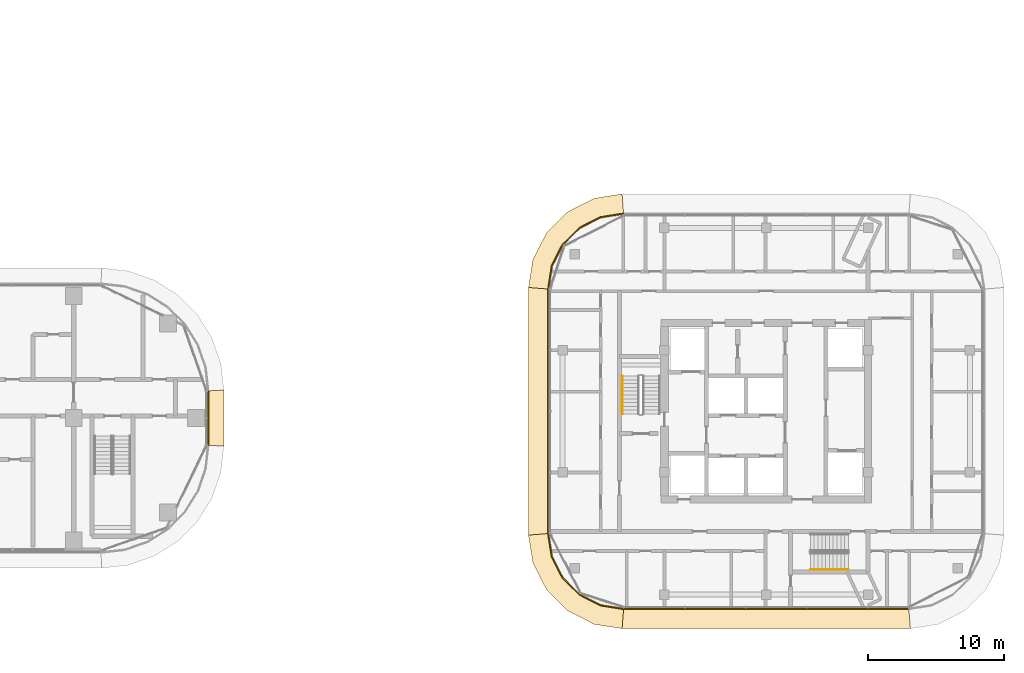
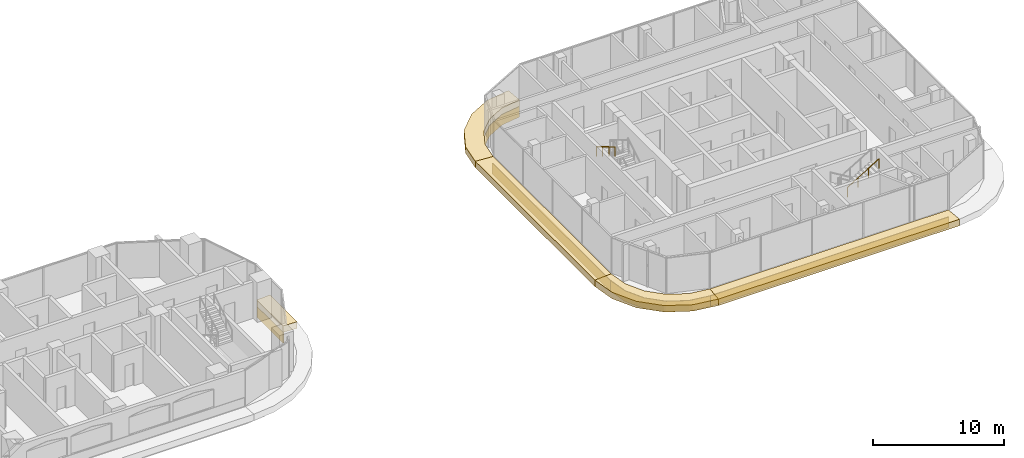
# One storey, part 38 of 40: 10 coverings, 2 railings.
"""IFC4 building model written with IfcOpenShell, lengths in metres."""

from ifc_helpers import new_model, si_unit, direction, frame, origin, origin_2d, place, context, subcontext, project, spatial, polyline, circle, outline, extrude, material, layer, layer_set, type_object, element, save


model = new_model("IFC4")

# Units and contexts
model_context = context("Model", 3, precision=1e-05, world=origin(), true_north=direction((0.0, 1.0)))
body_context = subcontext(model_context, "Body", "Model", "MODEL_VIEW")
ifc_project = project(units=[si_unit("LENGTHUNIT", "METRE"), si_unit("AREAUNIT", "SQUARE_METRE"), si_unit("VOLUMEUNIT", "CUBIC_METRE"), si_unit("PLANEANGLEUNIT", "RADIAN"), si_unit("MASSUNIT", "GRAM", prefix="KILO")], contexts=[model_context])

# Site, building, storey
site_placement = place(None, origin())
site = spatial("IfcSite", under=ifc_project, at=site_placement, CompositionType="ELEMENT")
building_placement = place(site_placement, origin())
building = spatial("IfcBuilding", under=site, at=building_placement, Name="Ogive Portal Towers", CompositionType="ELEMENT")
storey_placement = place(building_placement, frame((0.0, 0.0, 87.10009765625)))
storey = spatial("IfcBuildingStorey", under=building, at=storey_placement, Name="L20", CompositionType="ELEMENT", Elevation=87.10009765625)

# Railings
ifc_material_1 = material(Name="Stainless steel handrail", Category="steel")
railing_type = type_object("IfcRailingType", Name="INT-HANDRAIL", PredefinedType="HANDRAIL", material=ifc_material_1)
railing_1_placement = place(storey_placement, frame((125.89990234375, 33.60009765625, 2.01806640625)))
element("IfcRailing", 1, at=railing_1_placement, inside=storey, type_object=railing_type, Name="L20 ST-B1 stair handrail 2", PredefinedType="HANDRAIL", context=body_context, shape_type="SweptSolid", body=[
    extrude(circle(Radius=0.02392578125, at=origin_2d()), frame((0.0, 0.0, 0.8759765625), z_axis=(0.0, -0.857242210791, 0.514913383045), x_axis=(1.0, 0.0, 0.0)), (0.0, 0.0, 1.0), 3.266357421875),
    extrude(circle(Radius=0.02099609375, at=origin_2d()), origin(), (0.0, 0.0, 1.0), 0.851806640625),
    extrude(circle(Radius=0.02099609375, at=origin_2d()), frame((0.0, -0.933349609375, 0.560546875)), (0.0, 0.0, 1.0), 0.851806640625),
    extrude(circle(Radius=0.02099609375, at=origin_2d()), frame((0.0, -1.86669921875, 1.121337890625)), (0.0, 0.0, 1.0), 0.851806640625),
    extrude(circle(Radius=0.02099609375, at=origin_2d()), frame((0.0, -2.800048828125, 1.681884765625)), (0.0, 0.0, 1.0), 0.851806640625),
])
railing_2_placement = place(storey_placement, frame((139.75, 19.35009765625, 2.01806640625)))
element("IfcRailing", 2, at=railing_2_placement, inside=storey, type_object=railing_type, Name="L20 ST-B2 stair handrail 2", PredefinedType="HANDRAIL", context=body_context, shape_type="SweptSolid", body=[
    extrude(circle(Radius=0.02392578125, at=origin_2d()), frame((0.0, 0.0, 0.8759765625), z_axis=(0.857242210791, 0.0, 0.514913383045), x_axis=(0.0, 1.0, 0.0)), (0.0, 0.0, 1.0), 3.266357421875),
    extrude(circle(Radius=0.02099609375, at=origin_2d()), origin(), (0.0, 0.0, 1.0), 0.851806640625),
    extrude(circle(Radius=0.02099609375, at=origin_2d()), frame((0.933349609375, 0.0, 0.560546875)), (0.0, 0.0, 1.0), 0.851806640625),
    extrude(circle(Radius=0.02099609375, at=origin_2d()), frame((1.86669921875, 0.0, 1.121337890625)), (0.0, 0.0, 1.0), 0.851806640625),
    extrude(circle(Radius=0.02099609375, at=origin_2d()), frame((2.800048828125, 0.0, 1.681884765625)), (0.0, 0.0, 1.0), 0.851806640625),
])

# Coverings
ifc_material_2 = material(Name="Limestone cladding on lightweight block wall", Category="masonry")
ifc_layer_1 = layer(ifc_material_2, 0.080078125)
ifc_layer_set_1 = layer_set([ifc_layer_1], Name="STONE SPANDREL 80")
covering_type_1 = type_object("IfcCoveringType", Name="STONE SPANDREL 80", PredefinedType="CLADDING", material=ifc_layer_set_1)
covering_1_placement = place(storey_placement, frame((0.0, 0.0, -1.60009765625)))
element("IfcCovering", 3, at=covering_1_placement, inside=storey, type_object=covering_type_1, Name="Stone spandrel A1-F07", PredefinedType="CLADDING", context=body_context, shape_type="SweptSolid", body=[
    extrude(outline(polyline([(95.35498046875, 28.5), (95.35498046875, 32.5), (95.43505859375, 32.50439453125), (95.43505859375, 28.49560546875), (95.35498046875, 28.5)])), origin(), (0.0, 0.0, 1.0), 1.0),
])
covering_2_placement = place(storey_placement, frame((0.0, 0.0, -1.60009765625)))
element("IfcCovering", 4, at=covering_2_placement, inside=storey, type_object=covering_type_1, Name="Stone spandrel B1-F01", PredefinedType="CLADDING", context=body_context, shape_type="SweptSolid", body=[
    extrude(outline(polyline([(120.489990234375, 22.0), (120.759765625, 20.29736328125), (121.542236328125, 18.76123046875), (122.76123046875, 17.542236328125), (124.29736328125, 16.759765625), (126.0, 16.489990234375), (125.99365234375, 16.409912109375), (124.272216796875, 16.6826171875), (122.713623046875, 17.476806640625), (121.476806640625, 18.713623046875), (120.6826171875, 20.272216796875), (120.409912109375, 21.99365234375), (120.489990234375, 22.0)])), origin(), (0.0, 0.0, 1.0), 1.0),
])
covering_3_placement = place(storey_placement, frame((0.0, 0.0, -1.60009765625)))
element("IfcCovering", 5, at=covering_3_placement, inside=storey, type_object=covering_type_1, Name="Stone spandrel B1-F02", PredefinedType="CLADDING", context=body_context, shape_type="SweptSolid", body=[
    extrude(outline(polyline([(126.0, 16.489990234375), (147.0, 16.489990234375), (147.00634765625, 16.409912109375), (125.99365234375, 16.409912109375), (126.0, 16.489990234375)])), origin(), (0.0, 0.0, 1.0), 1.0),
])
covering_4_placement = place(storey_placement, frame((0.0, 0.0, -1.60009765625)))
element("IfcCovering", 6, at=covering_4_placement, inside=storey, type_object=covering_type_1, Name="Stone spandrel B1-F07", PredefinedType="CLADDING", context=body_context, shape_type="SweptSolid", body=[
    extrude(outline(polyline([(126.0, 45.510009765625), (124.29736328125, 45.240234375), (122.76123046875, 44.457763671875), (121.542236328125, 43.23876953125), (120.759765625, 41.70263671875), (120.489990234375, 40.0), (120.409912109375, 40.00634765625), (120.6826171875, 41.727783203125), (121.476806640625, 43.286376953125), (122.713623046875, 44.523193359375), (124.272216796875, 45.3173828125), (125.99365234375, 45.590087890625), (126.0, 45.510009765625)])), origin(), (0.0, 0.0, 1.0), 1.0),
])
covering_5_placement = place(storey_placement, frame((0.0, 0.0, -1.60009765625)))
element("IfcCovering", 7, at=covering_5_placement, inside=storey, type_object=covering_type_1, Name="Stone spandrel B1-F08", PredefinedType="CLADDING", context=body_context, shape_type="SweptSolid", body=[
    extrude(outline(polyline([(120.489990234375, 40.0), (120.489990234375, 22.0), (120.409912109375, 21.99365234375), (120.409912109375, 40.00634765625), (120.489990234375, 40.0)])), origin(), (0.0, 0.0, 1.0), 1.0),
])
ifc_layer_2 = layer(ifc_material_2, 0.60009765625)
ifc_layer_set_2 = layer_set([ifc_layer_2], Name="SUNSHADE LIP 600")
covering_type_2 = type_object("IfcCoveringType", Name="SUNSHADE LIP 600", PredefinedType="CLADDING", material=ifc_layer_set_2)
covering_6_placement = place(storey_placement, frame((0.0, 0.0, -0.60009765625)))
element("IfcCovering", 8, at=covering_6_placement, inside=storey, type_object=covering_type_2, Name="Sunshade lip A1-F07", PredefinedType="CLADDING", context=body_context, shape_type="SweptSolid", body=[
    extrude(outline(polyline([(95.35498046875, 28.5), (95.35498046875, 32.5), (96.554931640625, 32.5673828125), (96.554931640625, 28.4326171875), (95.35498046875, 28.5)])), origin(), (0.0, 0.0, 1.0), 0.60009765625),
])
covering_7_placement = place(storey_placement, frame((0.0, 0.0, -0.60009765625)))
element("IfcCovering", 9, at=covering_7_placement, inside=storey, type_object=covering_type_2, Name="Sunshade lip B1-F01", PredefinedType="CLADDING", context=body_context, shape_type="SweptSolid", body=[
    extrude(outline(polyline([(120.489990234375, 22.0), (120.759765625, 20.29736328125), (121.542236328125, 18.76123046875), (122.76123046875, 17.542236328125), (124.29736328125, 16.759765625), (126.0, 16.489990234375), (125.8818359375, 14.989990234375), (123.828125, 15.3154296875), (121.86865234375, 16.313720703125), (120.313720703125, 17.86865234375), (119.3154296875, 19.828125), (118.989990234375, 21.8818359375), (120.489990234375, 22.0)])), origin(), (0.0, 0.0, 1.0), 0.60009765625),
])
covering_8_placement = place(storey_placement, frame((0.0, 0.0, -0.60009765625)))
element("IfcCovering", 10, at=covering_8_placement, inside=storey, type_object=covering_type_2, Name="Sunshade lip B1-F02", PredefinedType="CLADDING", context=body_context, shape_type="SweptSolid", body=[
    extrude(outline(polyline([(126.0, 16.489990234375), (147.0, 16.489990234375), (147.1181640625, 14.989990234375), (125.8818359375, 14.989990234375), (126.0, 16.489990234375)])), origin(), (0.0, 0.0, 1.0), 0.60009765625),
])
covering_9_placement = place(storey_placement, frame((0.0, 0.0, -0.60009765625)))
element("IfcCovering", 11, at=covering_9_placement, inside=storey, type_object=covering_type_2, Name="Sunshade lip B1-F07", PredefinedType="CLADDING", context=body_context, shape_type="SweptSolid", body=[
    extrude(outline(polyline([(126.0, 45.510009765625), (124.29736328125, 45.240234375), (122.76123046875, 44.457763671875), (121.542236328125, 43.23876953125), (120.759765625, 41.70263671875), (120.489990234375, 40.0), (118.989990234375, 40.1181640625), (119.3154296875, 42.171875), (120.313720703125, 44.13134765625), (121.86865234375, 45.686279296875), (123.828125, 46.6845703125), (125.8818359375, 47.010009765625), (126.0, 45.510009765625)])), origin(), (0.0, 0.0, 1.0), 0.60009765625),
])
covering_10_placement = place(storey_placement, frame((0.0, 0.0, -0.60009765625)))
element("IfcCovering", 12, at=covering_10_placement, inside=storey, type_object=covering_type_2, Name="Sunshade lip B1-F08", PredefinedType="CLADDING", context=body_context, shape_type="SweptSolid", body=[
    extrude(outline(polyline([(120.489990234375, 40.0), (120.489990234375, 22.0), (118.989990234375, 21.8818359375), (118.989990234375, 40.1181640625), (120.489990234375, 40.0)])), origin(), (0.0, 0.0, 1.0), 0.60009765625),
])

save(model, "model.ifc")
